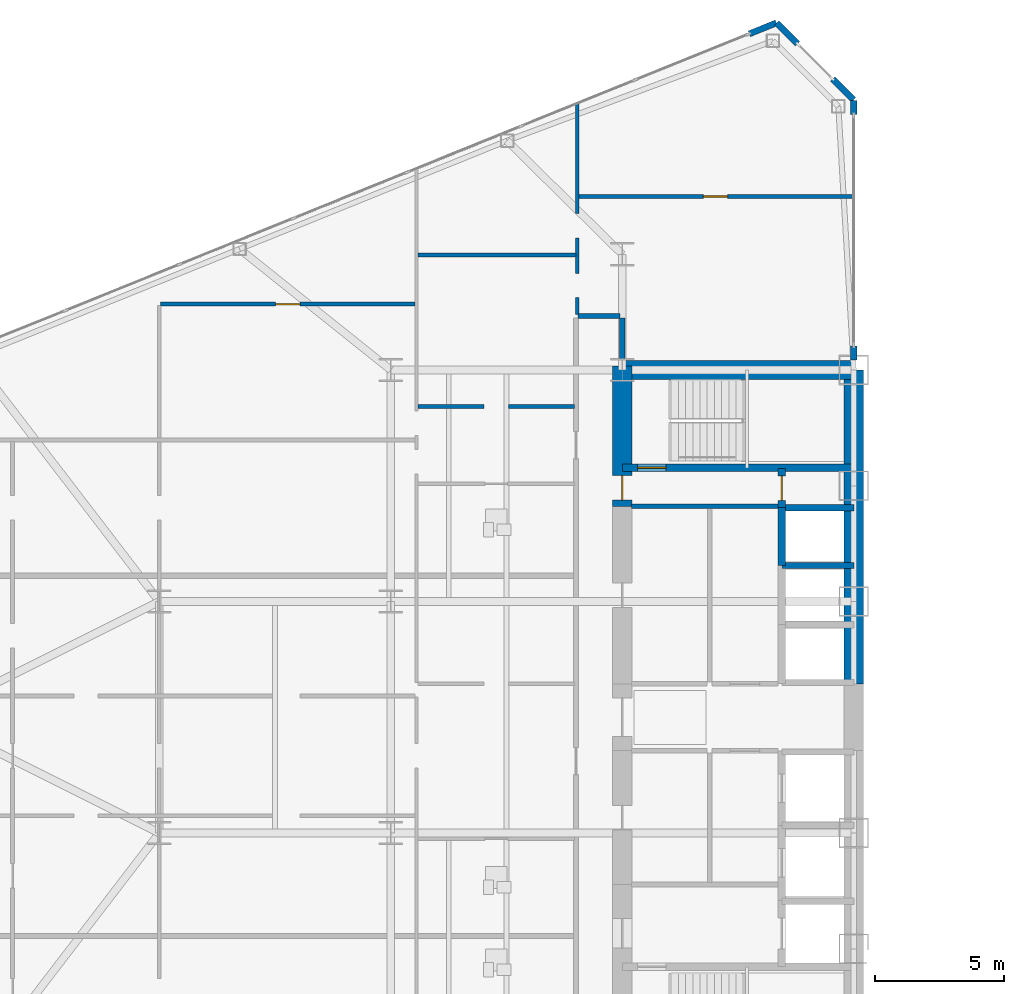
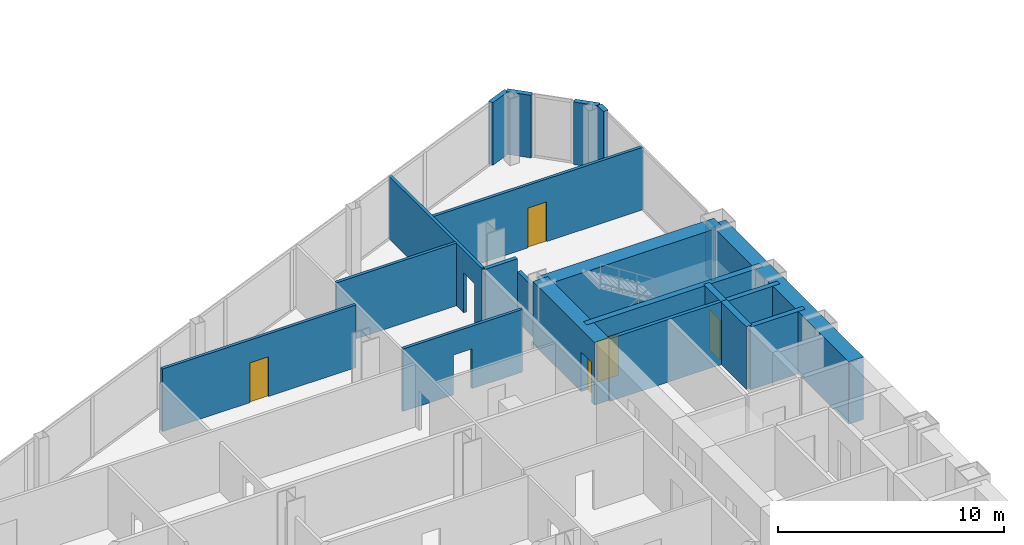
# One storey, part 19 of 25: 21 walls, 5 doors, 8 openings.
"""IFC4 building model written with IfcOpenShell, lengths in metres."""

from ifc_helpers import new_model, si_unit, direction, frame, frame_2d, origin, place, context, subcontext, project, spatial, rectangle, extrude, source, transform, mapped, material, layer, layer_set, type_object, type_shapes, element, fill, save


model = new_model("IFC4")

# Units and contexts
model_context = context("Model", 3, precision=1e-05, world=origin(), true_north=direction((0.0, 1.0)))
body_context = subcontext(model_context, "Body", "Model", "MODEL_VIEW")
ifc_project = project(units=[si_unit("LENGTHUNIT", "METRE"), si_unit("AREAUNIT", "SQUARE_METRE"), si_unit("VOLUMEUNIT", "CUBIC_METRE"), si_unit("PLANEANGLEUNIT", "RADIAN"), si_unit("MASSUNIT", "GRAM", prefix="KILO")], contexts=[model_context])

# Site, building, storey
site_placement = place(None, origin())
site = spatial("IfcSite", under=ifc_project, at=site_placement, CompositionType="ELEMENT")
building_placement = place(site_placement, origin())
building = spatial("IfcBuilding", under=site, at=building_placement, Name="Seokmaru Belvedere", CompositionType="ELEMENT")
storey_placement = place(building_placement, frame((0.0, 0.0, 44.10009765625)))
storey = spatial("IfcBuildingStorey", under=building, at=storey_placement, Name="L11", CompositionType="ELEMENT", Elevation=44.10009765625)

# Wall, opening
ifc_material_1 = material(Name="Fire-Rated Gypsum Shaftwall")
ifc_layer_1 = layer(ifc_material_1, 0.14990234375)
ifc_layer_set_1 = layer_set([ifc_layer_1], Name="Fire-Rated Gypsum Shaftwall")
wall_type_1 = type_object("IfcWallType", Name="Apartment Fire-Acoustic Room Partition 150", PredefinedType="PARTITIONING", material=ifc_layer_set_1)
wall_1_placement = place(storey_placement, frame((-44.449951171875, 12.080078125, 0.0), z_axis=(0.0, 0.0, 1.0), x_axis=(1.0, 0.0, 0.0)))
wall_1 = element("IfcWall", 1, at=wall_1_placement, inside=storey, type_object=wall_type_1, Name="L11 Interior Partition 027", PredefinedType="PARTITIONING", context=body_context, shape_type="SweptSolid", body=[
    extrude(rectangle(XDim=6.099853515625, YDim=0.14990234375, at=frame_2d((3.0498046875, 0.0))), origin(), (0.0, 0.0, 1.0), 3.3798828125),
])
opening_1_placement = place(wall_1_placement, frame((2.574951171875, 0.0, 0.0)))
element("IfcOpeningElement", 2, at=opening_1_placement, cuts=wall_1, Name="L11 Cased Opening 027", PredefinedType="OPENING", context=body_context, shape_type="SweptSolid", body=[
    extrude(rectangle(XDim=0.949951171875, YDim=2.14990234375, at=frame_2d((0.47509765625, 1.074951171875))), frame((0.0, 0.0849609375, 0.0), z_axis=(0.0, -1.0, 0.0), x_axis=(1.0, 0.0, 0.0)), (0.0, 0.0, 1.0), 0.169921875),
])

# Wall, opening, door
wall_2_placement = place(storey_placement, frame((-54.449951171875, 16.06005859375, 0.0), z_axis=(0.0, 0.0, 1.0), x_axis=(1.0, 0.0, 0.0)))
wall_2 = element("IfcWall", 3, at=wall_2_placement, inside=storey, type_object=wall_type_1, Name="L11 Interior Partition 031", PredefinedType="PARTITIONING", context=body_context, shape_type="SweptSolid", body=[
    extrude(rectangle(XDim=9.89990234375, YDim=0.14990234375, at=frame_2d((4.949951171875, 0.0))), origin(), (0.0, 0.0, 1.0), 3.3798828125),
])
opening_2_placement = place(wall_2_placement, frame((4.47509765625, 0.0, 0.0)))
opening_2 = element("IfcOpeningElement", 4, at=opening_2_placement, cuts=wall_2, Name="Opening D05", PredefinedType="OPENING", context=body_context, shape_type="SweptSolid", body=[
    extrude(rectangle(XDim=0.949951171875, YDim=2.14990234375, at=frame_2d((0.47509765625, 1.074951171875))), frame((0.0, 0.0849609375, 0.0), z_axis=(0.0, -1.0, 0.0), x_axis=(1.0, 0.0, 0.0)), (0.0, 0.0, 1.0), 0.169921875),
])
ifc_material_2 = material(Name="Engineered White Oak Timber", Category="wood")
door_type_1 = type_object("IfcDoorType", Name="Apartment Interior Fire-Rated Oak Door 950x2150", OperationType="NOTDEFINED", PredefinedType="DOOR", material=ifc_material_2)
shared_shape_1 = source(origin(), body_context, "Body", "SweptSolid", [
    extrude(rectangle(XDim=0.949951171875, YDim=2.14990234375, at=frame_2d((0.47509765625, 1.074951171875))), frame((0.0, 0.02490234375, 0.0), z_axis=(0.0, -1.0, 0.0), x_axis=(1.0, 0.0, 0.0)), (0.0, 0.0, 1.0), 0.050048828125),
])
type_shapes(door_type_1, [shared_shape_1])
door_1_placement = place(opening_2_placement, origin())
door_1 = element("IfcDoor", 5, at=door_1_placement, inside=storey, type_object=door_type_1, Name="L11 Interior Door 033", OperationType="SINGLE_SWING_RIGHT", OverallHeight=2.14990234375, OverallWidth=0.949951171875, PredefinedType="DOOR", context=body_context, shape_type="MappedRepresentation", body=[
    mapped(shared_shape_1, transform((0.0, 0.0, 0.0), scale=1.0)),
])
fill(opening_2, door_1)

# Wall
wall_3_placement = place(storey_placement, frame((-44.449951171875, 17.969970703125, 0.0), z_axis=(0.0, 0.0, 1.0), x_axis=(1.0, 0.0, 0.0)))
element("IfcWall", 6, at=wall_3_placement, inside=storey, type_object=wall_type_1, Name="L11 Interior Partition 032", PredefinedType="PARTITIONING", context=body_context, shape_type="SweptSolid", body=[
    extrude(rectangle(XDim=6.14990234375, YDim=0.14990234375, at=frame_2d((3.074951171875, 0.0))), origin(), (0.0, 0.0, 1.0), 3.3798828125),
])

# Wall, opening, door
wall_4_placement = place(storey_placement, frame((-38.199951171875, 20.25, 0.0), z_axis=(0.0, 0.0, 1.0), x_axis=(1.0, 0.0, 0.0)))
wall_4 = element("IfcWall", 7, at=wall_4_placement, inside=storey, type_object=wall_type_1, Name="L11 Interior Partition 033", PredefinedType="PARTITIONING", context=body_context, shape_type="SweptSolid", body=[
    extrude(rectangle(XDim=10.73486328125, YDim=0.14990234375, at=frame_2d((5.367431640625, 0.0))), origin(), (0.0, 0.0, 1.0), 3.3798828125),
])
opening_3_placement = place(wall_4_placement, frame((4.85009765625, 0.0, 0.0)))
opening_3 = element("IfcOpeningElement", 8, at=opening_3_placement, cuts=wall_4, Name="Opening D05", PredefinedType="OPENING", context=body_context, shape_type="SweptSolid", body=[
    extrude(rectangle(XDim=0.949951171875, YDim=2.14990234375, at=frame_2d((0.47509765625, 1.074951171875))), frame((0.0, 0.0849609375, 0.0), z_axis=(0.0, -1.0, 0.0), x_axis=(1.0, 0.0, 0.0)), (0.0, 0.0, 1.0), 0.169921875),
])
door_2_placement = place(opening_3_placement, origin())
door_2 = element("IfcDoor", 9, at=door_2_placement, inside=storey, type_object=door_type_1, Name="L11 Interior Door 035", OperationType="SINGLE_SWING_RIGHT", OverallHeight=2.14990234375, OverallWidth=0.949951171875, PredefinedType="DOOR", context=body_context, shape_type="MappedRepresentation", body=[
    mapped(shared_shape_1, transform((0.0, 0.0, 0.0), scale=1.0)),
])
fill(opening_3, door_2)

# Wall, openings
wall_5_placement = place(storey_placement, frame((-38.25, 15.64990234375, 0.0), z_axis=(0.0, 0.0, 1.0), x_axis=(0.0, 1.0, 0.0)))
wall_5 = element("IfcWall", 10, at=wall_5_placement, inside=storey, type_object=wall_type_1, Name="L11 Interior Partition 040", PredefinedType="PARTITIONING", context=body_context, shape_type="SweptSolid", body=[
    extrude(rectangle(XDim=8.248046875, YDim=0.14990234375, at=frame_2d((4.1240234375, 0.0))), origin(), (0.0, 0.0, 1.0), 3.3798828125),
])
opening_4_placement = place(wall_5_placement, frame((0.66015625, 0.0, 0.0)))
element("IfcOpeningElement", 11, at=opening_4_placement, cuts=wall_5, Name="L11 Cased Opening 034", PredefinedType="OPENING", context=body_context, shape_type="SweptSolid", body=[
    extrude(rectangle(XDim=0.949951171875, YDim=2.14990234375, at=frame_2d((0.47509765625, 1.074951171875))), frame((0.0, 0.0849609375, 0.0), z_axis=(0.0, -1.0, 0.0), x_axis=(1.0, 0.0, 0.0)), (0.0, 0.0, 1.0), 0.169921875),
])
opening_5_placement = place(wall_5_placement, frame((2.985107421875, 0.0, 0.0)))
element("IfcOpeningElement", 12, at=opening_5_placement, cuts=wall_5, Name="L11 Cased Opening 036", PredefinedType="OPENING", context=body_context, shape_type="SweptSolid", body=[
    extrude(rectangle(XDim=0.949951171875, YDim=2.14990234375, at=frame_2d((0.47509765625, 1.074951171875))), frame((0.0, 0.0849609375, 0.0), z_axis=(0.0, -1.0, 0.0), x_axis=(1.0, 0.0, 0.0)), (0.0, 0.0, 1.0), 0.169921875),
])

# Walls
ifc_layer_2 = layer(ifc_material_1, 0.179931640625)
ifc_layer_set_2 = layer_set([ifc_layer_2], Name="Fire-Rated Gypsum Shaftwall")
wall_type_2 = type_object("IfcWallType", Name="Core Service Fire Partition 180", PredefinedType="PARTITIONING", material=ifc_layer_set_2)
wall_6_placement = place(storey_placement, frame((-36.14990234375, 8.199951171875, 0.0), z_axis=(0.0, 0.0, 1.0), x_axis=(1.0, 0.0, 0.0)))
element("IfcWall", 13, at=wall_6_placement, inside=storey, type_object=wall_type_2, Name="L11 West Smokeproof Vestibule Partition", PredefinedType="PARTITIONING", context=body_context, shape_type="SweptSolid", body=[
    extrude(rectangle(XDim=5.699951171875, YDim=0.179931640625, at=frame_2d((2.85009765625, 0.0))), origin(), (0.0, 0.0, 1.0), 3.3798828125),
])
ifc_material_3 = material(Name="Concrete C50 (50 MPa)", Category="concrete")
ifc_layer_3 = layer(ifc_material_3, 0.25)
ifc_layer_set_3 = layer_set([ifc_layer_3], Name="Concrete C50 (50 MPa)")
wall_type_3 = type_object("IfcWallType", Name="Hoistway Transverse Concrete Divider Wall 250", PredefinedType="SHEAR", material=ifc_layer_set_3)
for number, where, z_axis, x_axis, name in (
    (14, (-30.300048828125, 5.89990234375, 0.0), (0.0, 0.0, 1.0), (1.0, 0.0, 0.0), "L11 West Hoistway Divider Core Wall 6"),
    (15, (-30.300048828125, 8.14990234375, 0.0), (0.0, 0.0, 1.0), (1.0, 0.0, 0.0), "L11 West Hoistway Divider Core Wall 7"),
):
    element("IfcWall", number, at=place(storey_placement, frame(where, z_axis=z_axis, x_axis=x_axis)), inside=storey, type_object=wall_type_3, Name=name, PredefinedType="SHEAR", context=body_context, shape_type="SweptSolid", body=[
        extrude(rectangle(XDim=2.800048828125, YDim=0.25, at=frame_2d((1.39990234375, 0.0))), origin(), (0.0, 0.0, 1.0), 3.3798828125),
    ])
ifc_layer_4 = layer(ifc_material_1, 0.199951171875)
ifc_layer_set_4 = layer_set([ifc_layer_4], Name="Fire-Rated Gypsum Shaftwall")
wall_type_4 = type_object("IfcWallType", Name="Inter-Tenancy Fire Compartment Partition 200", PredefinedType="PARTITIONING", material=ifc_layer_set_4)
wall_7_placement = place(storey_placement, frame((-38.215087890625, 15.60009765625, 0.0), z_axis=(0.0, 0.0, 1.0), x_axis=(1.0, 0.0, 0.0)))
element("IfcWall", 16, at=wall_7_placement, inside=storey, type_object=wall_type_4, Name="L11 Interior Partition 029", PredefinedType="PARTITIONING", context=body_context, shape_type="SweptSolid", body=[
    extrude(rectangle(XDim=1.630126953125, YDim=0.199951171875, at=frame_2d((0.81494140625, 0.0))), origin(), (0.0, 0.0, 1.0), 3.3798828125),
])
wall_8_placement = place(storey_placement, frame((-36.5, 13.8798828125, 0.0), z_axis=(0.0, 0.0, 1.0), x_axis=(0.0, 1.0, 0.0)))
element("IfcWall", 17, at=wall_8_placement, inside=storey, type_object=wall_type_4, Name="L11 Interior Partition 042", PredefinedType="PARTITIONING", context=body_context, shape_type="SweptSolid", body=[
    extrude(rectangle(XDim=1.635009765625, YDim=0.199951171875, at=frame_2d((0.8173828125, 0.0))), origin(), (0.0, 0.0, 1.0), 2.679931640625),
])

# Wall, opening, door
ifc_layer_5 = layer(ifc_material_3, 0.300048828125)
ifc_layer_set_5 = layer_set([ifc_layer_5], Name="Concrete C50 (50 MPa)")
wall_type_5 = type_object("IfcWallType", Name="Internal Core Stair and Hoistway Wall 300", PredefinedType="SHEAR", material=ifc_layer_set_5)
wall_9_placement = place(storey_placement, frame((-36.5, 9.699951171875, 0.0), z_axis=(0.0, 0.0, 1.0), x_axis=(1.0, 0.0, 0.0)))
wall_9 = element("IfcWall", 18, at=wall_9_placement, inside=storey, type_object=wall_type_5, Name="L11 West Stair ST-2 Enclosure Wall", PredefinedType="SHEAR", context=body_context, shape_type="SweptSolid", body=[
    extrude(rectangle(XDim=9.0, YDim=0.300048828125, at=frame_2d((4.5, 0.0))), origin(), (0.0, 0.0, 1.0), 3.3798828125),
])
opening_6_placement = place(wall_9_placement, frame((0.60009765625, 0.0, 0.0)))
opening_6 = element("IfcOpeningElement", 19, at=opening_6_placement, cuts=wall_9, Name="Opening D01", PredefinedType="OPENING", context=body_context, shape_type="SweptSolid", body=[
    extrude(rectangle(XDim=1.10009765625, YDim=2.199951171875, at=frame_2d((0.550048828125, 1.10009765625))), frame((0.0, 0.16015625, 0.0), z_axis=(0.0, -1.0, 0.0), x_axis=(1.0, 0.0, 0.0)), (0.0, 0.0, 1.0), 0.320068359375),
])
ifc_material_4 = material(Name="Fire-Rated Steel Leaf", Category="steel")
door_type_2 = type_object("IfcDoorType", Name="Special Escape Stair Smokeproof Fire Door 1100x2200", OperationType="NOTDEFINED", PredefinedType="DOOR", material=ifc_material_4)
shared_shape_2 = source(origin(), body_context, "Body", "SweptSolid", [
    extrude(rectangle(XDim=1.10009765625, YDim=2.199951171875, at=frame_2d((0.550048828125, 1.10009765625))), frame((0.0, 0.02490234375, 0.0), z_axis=(0.0, -1.0, 0.0), x_axis=(1.0, 0.0, 0.0)), (0.0, 0.0, 1.0), 0.050048828125),
])
type_shapes(door_type_2, [shared_shape_2])
door_3_placement = place(opening_6_placement, origin())
door_3 = element("IfcDoor", 20, at=door_3_placement, inside=storey, type_object=door_type_2, Name="L11 West Special Escape Stair ST-2 Door", OperationType="SINGLE_SWING_RIGHT", OverallHeight=2.199951171875, OverallWidth=1.10009765625, PredefinedType="DOOR", context=body_context, shape_type="MappedRepresentation", body=[
    mapped(shared_shape_2, transform((0.0, 0.0, 0.0), scale=1.0)),
])
fill(opening_6, door_3)

# Wall
wall_10_placement = place(storey_placement, frame((-30.300048828125, 5.89990234375, 0.0), z_axis=(0.0, 0.0, 1.0), x_axis=(0.0, 1.0, 0.0)))
element("IfcWall", 21, at=wall_10_placement, inside=storey, type_object=wall_type_5, Name="L11 West North Hoistway Wall OBS", PredefinedType="SHEAR", context=body_context, shape_type="SweptSolid", body=[
    extrude(rectangle(XDim=2.25, YDim=0.300048828125, at=frame_2d((1.125, 0.0))), origin(), (0.0, 0.0, 1.0), 3.3798828125),
])

# Wall, opening, door
wall_11_placement = place(storey_placement, frame((-30.300048828125, 8.14990234375, 0.0), z_axis=(0.0, 0.0, 1.0), x_axis=(0.0, 1.0, 0.0)))
wall_11 = element("IfcWall", 22, at=wall_11_placement, inside=storey, type_object=wall_type_5, Name="L11 West Electrical Riser Front Wall", PredefinedType="SHEAR", context=body_context, shape_type="SweptSolid", body=[
    extrude(rectangle(XDim=1.530029296875, YDim=0.300048828125, at=frame_2d((0.76513671875, 0.0))), origin(), (0.0, 0.0, 1.0), 3.3798828125),
])
opening_7_placement = place(wall_11_placement, frame((0.284912109375, 0.0, 0.0)))
opening_7 = element("IfcOpeningElement", 23, at=opening_7_placement, cuts=wall_11, Name="Opening D04", PredefinedType="OPENING", context=body_context, shape_type="SweptSolid", body=[
    extrude(rectangle(XDim=0.949951171875, YDim=2.14990234375, at=frame_2d((0.47509765625, 1.074951171875))), frame((0.0, 0.16015625, 0.0), z_axis=(0.0, -1.0, 0.0), x_axis=(1.0, 0.0, 0.0)), (0.0, 0.0, 1.0), 0.320068359375),
])
door_type_3 = type_object("IfcDoorType", Name="Core Service Room Fire Door 950x2150", OperationType="NOTDEFINED", PredefinedType="DOOR", material=ifc_material_4)
shared_shape_3 = source(origin(), body_context, "Body", "SweptSolid", [
    extrude(rectangle(XDim=0.949951171875, YDim=2.14990234375, at=frame_2d((0.47509765625, 1.074951171875))), frame((0.0, 0.02490234375, 0.0), z_axis=(0.0, -1.0, 0.0), x_axis=(1.0, 0.0, 0.0)), (0.0, 0.0, 1.0), 0.050048828125),
])
type_shapes(door_type_3, [shared_shape_3])
door_4_placement = place(opening_7_placement, origin())
door_4 = element("IfcDoor", 24, at=door_4_placement, inside=storey, type_object=door_type_3, Name="L11 West Electrical Riser Access Door", OperationType="SINGLE_SWING_LEFT", OverallHeight=2.14990234375, OverallWidth=0.949951171875, PredefinedType="DOOR", context=body_context, shape_type="MappedRepresentation", body=[
    mapped(shared_shape_3, transform((0.0, 0.0, 0.0), scale=1.0)),
])
fill(opening_7, door_4)

# Walls
ifc_material_5 = material(Name="Concrete C60 (60 MPa)", Category="concrete")
ifc_layer_6 = layer(ifc_material_5, 0.75)
ifc_layer_set_6 = layer_set([ifc_layer_6], Name="Concrete C60 (60 MPa)")
wall_type_6 = type_object("IfcWallType", Name="Lower Tower Reinforced Concrete Core Wall 750", PredefinedType="SHEAR", material=ifc_layer_set_6)
wall_12_placement = place(storey_placement, frame((-27.5, 1.300048828125, 0.0), z_axis=(0.0, 0.0, 1.0), x_axis=(0.0, 1.0, 0.0)))
element("IfcWall", 25, at=wall_12_placement, inside=storey, type_object=wall_type_6, Name="L11 West Portal Spine Core Wall North", PredefinedType="SHEAR", context=body_context, shape_type="SweptSolid", body=[
    extrude(rectangle(XDim=12.199951171875, YDim=0.75, at=frame_2d((6.10009765625, 0.0))), origin(), (0.0, 0.0, 1.0), 3.3798828125),
])
wall_13_placement = place(storey_placement, frame((-36.5, 13.5, 0.0), z_axis=(0.0, 0.0, 1.0), x_axis=(1.0, 0.0, 0.0)))
element("IfcWall", 26, at=wall_13_placement, inside=storey, type_object=wall_type_6, Name="L11 West North Core Wall", PredefinedType="SHEAR", context=body_context, shape_type="SweptSolid", body=[
    extrude(rectangle(XDim=9.0, YDim=0.75, at=frame_2d((4.5, 0.0))), origin(), (0.0, 0.0, 1.0), 3.3798828125),
])

# Wall, opening, door
wall_14_placement = place(storey_placement, frame((-36.5, 8.199951171875, 0.0), z_axis=(0.0, 0.0, 1.0), x_axis=(0.0, 1.0, 0.0)))
wall_14 = element("IfcWall", 27, at=wall_14_placement, inside=storey, type_object=wall_type_6, Name="L11 West West Core Wall VST", PredefinedType="SHEAR", context=body_context, shape_type="SweptSolid", body=[
    extrude(rectangle(XDim=5.449951171875, YDim=0.75, at=frame_2d((2.72509765625, 0.0))), origin(), (0.0, 0.0, 1.0), 3.3798828125),
])
opening_8_placement = place(wall_14_placement, frame((0.2451171875, 0.0, 0.0)))
opening_8 = element("IfcOpeningElement", 28, at=opening_8_placement, cuts=wall_14, Name="Opening D04", PredefinedType="OPENING", context=body_context, shape_type="SweptSolid", body=[
    extrude(rectangle(XDim=0.949951171875, YDim=2.14990234375, at=frame_2d((0.47509765625, 1.074951171875))), frame((0.0, 0.385009765625, 0.0), z_axis=(0.0, -1.0, 0.0), x_axis=(1.0, 0.0, 0.0)), (0.0, 0.0, 1.0), 0.77001953125),
])
door_5_placement = place(opening_8_placement, frame((0.949951171875, 0.0, 0.0), z_axis=(0.0, 0.0, 1.0), x_axis=(-1.0, 0.0, 0.0)))
door_5 = element("IfcDoor", 29, at=door_5_placement, inside=storey, type_object=door_type_3, Name="L11 West Smokeproof Vestibule Door", OperationType="SINGLE_SWING_RIGHT", OverallHeight=2.14990234375, OverallWidth=0.949951171875, PredefinedType="DOOR", context=body_context, shape_type="MappedRepresentation", body=[
    mapped(shared_shape_3, transform((0.0, 0.0, 0.0), scale=1.0)),
])
fill(opening_8, door_5)

# Walls
ifc_material_6 = material(Name="Anodised Bronze Aluminium", Category="aluminium")
ifc_layer_7 = layer(ifc_material_6, 0.239990234375)
ifc_layer_set_7 = layer_set([ifc_layer_7], Name="Anodised Bronze Aluminium")
wall_type_7 = type_object("IfcWallType", Name="Tower Corner Spandrel Closure Wall 240", PredefinedType="SOLIDWALL", material=ifc_layer_set_7)
wall_15_placement = place(storey_placement, frame((-27.5, 13.8798828125, 0.0), z_axis=(0.0, 0.0, 1.0), x_axis=(0.0, 1.0, 0.0)))
element("IfcWall", 30, at=wall_15_placement, inside=storey, type_object=wall_type_7, Name="L11 W Spine Closure Pier 2A", PredefinedType="SOLIDWALL", context=body_context, shape_type="SweptSolid", body=[
    extrude(rectangle(XDim=0.550048828125, YDim=0.239990234375, at=frame_2d((0.27490234375, 0.0))), origin(), (0.0, 0.0, 1.0), 2.8798828125),
])
wall_16_placement = place(storey_placement, frame((-27.5, 23.429931640625, 0.0), z_axis=(0.0, 0.0, 1.0), x_axis=(0.0, 1.0, 0.0)))
element("IfcWall", 31, at=wall_16_placement, inside=storey, type_object=wall_type_7, Name="L11 W Spine Closure Pier 2B", PredefinedType="SOLIDWALL", context=body_context, shape_type="SweptSolid", body=[
    extrude(rectangle(XDim=0.550048828125, YDim=0.239990234375, at=frame_2d((0.27490234375, 0.0))), origin(), (0.0, 0.0, 1.0), 3.3798828125),
])
for number, where, z_axis, x_axis, name in (
    (32, (-27.507080078125, 24.007080078125, 0.0), (0.0, 0.0, 1.0), (-0.707106781187, 0.707106781187, 0.0), "L11 W Corner Closure Pier 2A"),
    (33, (-29.686767578125, 26.186767578125, 0.0), (0.0, 0.0, 1.0), (-0.707106781187, 0.707106781187, 0.0), "L11 W Corner Closure Pier 2B"),
):
    element("IfcWall", number, at=place(storey_placement, frame(where, z_axis=z_axis, x_axis=x_axis)), inside=storey, type_object=wall_type_7, Name=name, PredefinedType="SOLIDWALL", context=body_context, shape_type="SweptSolid", body=[
        extrude(rectangle(XDim=1.14013671875, YDim=0.239990234375, at=frame_2d((0.570068359375, 0.0))), origin(), (0.0, 0.0, 1.0), 3.3798828125),
    ])
wall_17_placement = place(storey_placement, frame((-30.50927734375, 26.99609375, 0.0), z_axis=(0.0, 0.0, 1.0), x_axis=(-0.927007103665, -0.375043770452, 0.0)))
element("IfcWall", 34, at=wall_17_placement, inside=storey, type_object=wall_type_7, Name="L11 W Corner Closure Pier 3A", PredefinedType="SOLIDWALL", context=body_context, shape_type="SweptSolid", body=[
    extrude(rectangle(XDim=1.139892578125, YDim=0.239990234375, at=frame_2d((0.56982421875, 0.0))), origin(), (0.0, 0.0, 1.0), 3.3798828125),
])

save(model, "model.ifc")
